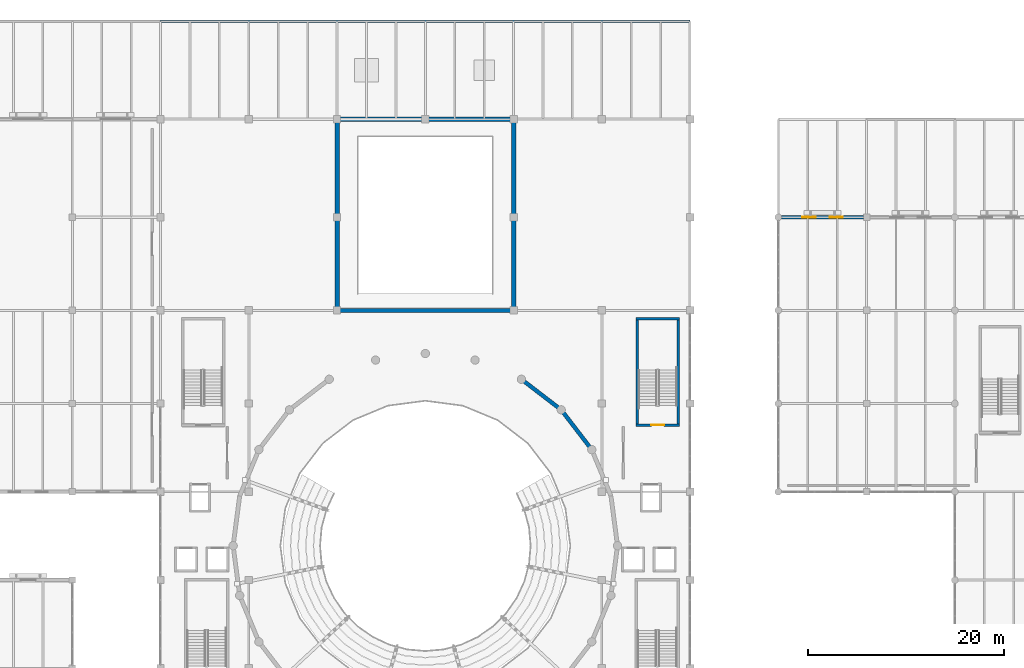
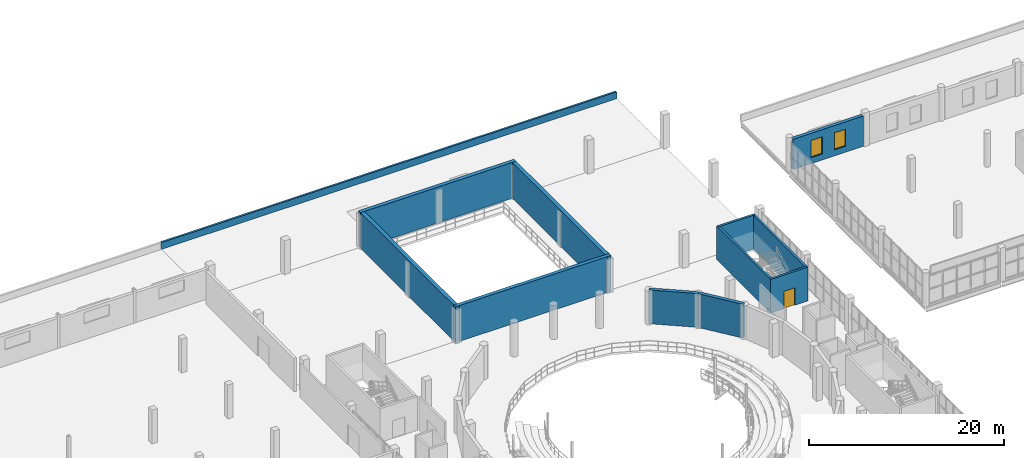
# One storey, part 67 of 85: 12 walls, 2 windows, 1 door, 3 openings.
"""IFC4 building model written with IfcOpenShell, lengths in metres."""

from ifc_helpers import new_model, si_unit, direction, frame, frame_2d, origin, place, context, subcontext, project, spatial, rectangle, extrude, material, layer, layer_set, type_object, element, fill, save


model = new_model("IFC4")

# Units and contexts
model_context = context("Model", 3, precision=1e-05, world=origin(), true_north=direction((0.0, 1.0)))
body_context = subcontext(model_context, "Body", "Model", "MODEL_VIEW")
ifc_project = project(units=[si_unit("LENGTHUNIT", "METRE"), si_unit("AREAUNIT", "SQUARE_METRE"), si_unit("VOLUMEUNIT", "CUBIC_METRE"), si_unit("PLANEANGLEUNIT", "RADIAN"), si_unit("MASSUNIT", "GRAM", prefix="KILO")], contexts=[model_context])

# Site, building, storey
site_placement = place(None, origin())
site = spatial("IfcSite", under=ifc_project, at=site_placement, CompositionType="ELEMENT")
building_placement = place(site_placement, origin())
building = spatial("IfcBuilding", under=site, at=building_placement, Name="Marnock Terrace Opera House", CompositionType="ELEMENT")
storey_placement = place(building_placement, frame((0.0, 0.0, 10.199951171875)))
storey = spatial("IfcBuildingStorey", under=building, at=storey_placement, Name="L02", CompositionType="ELEMENT", Elevation=10.199951171875)

# Wall, openings, windows
ifc_material_1 = material(Name="Basket Range sandstone ashlar masonry", Category="masonry")
ifc_layer_1 = layer(ifc_material_1, 0.389892578125)
ifc_layer_set_1 = layer_set([ifc_layer_1], Name="Basket Range sandstone ashlar masonry")
wall_type_1 = type_object("IfcWallType", Name="EW-ASHLAR-390", PredefinedType="SOLIDWALL", material=ifc_layer_set_1)
wall_1_placement = place(storey_placement, frame((118.345947265625, 94.0, 0.0), z_axis=(0.0, 0.0, 1.0), x_axis=(1.0, 0.0, 0.0)))
wall_1 = element("IfcWall", 1, at=wall_1_placement, inside=storey, type_object=wall_type_1, Name="L02 Volume 5 north parklands facade 1", PredefinedType="SOLIDWALL", context=body_context, shape_type="SweptSolid", body=[
    extrude(rectangle(XDim=8.3330078125, YDim=0.389892578125, at=frame_2d((4.16650390625, 0.0))), origin(), (0.0, 0.0, 1.0), 3.807373046875),
])
opening_1_placement = place(wall_1_placement, frame((2.102783203125, 0.0, 0.75)))
opening_1 = element("IfcOpeningElement", 2, at=opening_1_placement, cuts=wall_1, Name="Opening WT-102", PredefinedType="OPENING", context=body_context, shape_type="SweptSolid", body=[
    extrude(rectangle(XDim=1.35009765625, YDim=2.14990234375, at=frame_2d((0.675048828125, 1.074951171875))), frame((0.0, 0.204833984375, 0.0), z_axis=(0.0, -1.0, 0.0), x_axis=(1.0, 0.0, 0.0)), (0.0, 0.0, 1.0), 0.409912109375),
])
opening_2_placement = place(wall_1_placement, frame((4.88037109375, 0.0, 0.75)))
opening_2 = element("IfcOpeningElement", 3, at=opening_2_placement, cuts=wall_1, Name="Opening WT-102", PredefinedType="OPENING", context=body_context, shape_type="SweptSolid", body=[
    extrude(rectangle(XDim=1.35009765625, YDim=2.14990234375, at=frame_2d((0.675048828125, 1.074951171875))), frame((0.0, 0.204833984375, 0.0), z_axis=(0.0, -1.0, 0.0), x_axis=(1.0, 0.0, 0.0)), (0.0, 0.0, 1.0), 0.409912109375),
])
ifc_material_2 = material(Name="Double-glazed acoustic low-E laminated glass", Category="glass")
window_type = type_object("IfcWindowType", Name="WT-SUITE-1350", PartitioningType="SINGLE_PANEL", PredefinedType="WINDOW", material=ifc_material_2)
window_1_placement = place(opening_1_placement, origin())
window_1 = element("IfcWindow", 4, at=window_1_placement, inside=storey, type_object=window_type, Name="L02 facade window EW-V5N-L02-1.1", OverallHeight=2.14990234375, OverallWidth=1.35009765625, PartitioningType="SINGLE_PANEL", PredefinedType="WINDOW", context=body_context, shape_type="SweptSolid", body=[
    extrude(rectangle(XDim=1.35009765625, YDim=2.14990234375, at=frame_2d((0.675048828125, 1.074951171875))), frame((0.0, 0.030029296875, 0.0), z_axis=(0.0, -1.0, 0.0), x_axis=(1.0, 0.0, 0.0)), (0.0, 0.0, 1.0), 0.06005859375),
])
fill(opening_1, window_1)
window_2_placement = place(opening_2_placement, origin())
window_2 = element("IfcWindow", 5, at=window_2_placement, inside=storey, type_object=window_type, Name="L02 facade window EW-V5N-L02-1.2", OverallHeight=2.14990234375, OverallWidth=1.35009765625, PartitioningType="SINGLE_PANEL", PredefinedType="WINDOW", context=body_context, shape_type="SweptSolid", body=[
    extrude(rectangle(XDim=1.35009765625, YDim=2.14990234375, at=frame_2d((0.675048828125, 1.074951171875))), frame((0.0, 0.030029296875, 0.0), z_axis=(0.0, -1.0, 0.0), x_axis=(1.0, 0.0, 0.0)), (0.0, 0.0, 1.0), 0.06005859375),
])
fill(opening_2, window_2)

# Wall
ifc_material_3 = material(Name="Pale hydraulic lime architectural render on masonry", Category="masonry")
ifc_layer_2 = layer(ifc_material_3, 0.22998046875)
ifc_layer_set_2 = layer_set([ifc_layer_2], Name="Pale hydraulic lime architectural render on masonry")
wall_type_2 = type_object("IfcWallType", Name="EW-PARA-230", PredefinedType="PARAPET", material=ifc_layer_set_2)
wall_2_placement = place(storey_placement, frame((55.0, 114.0, 0.0), z_axis=(0.0, 0.0, 1.0), x_axis=(1.0, 0.0, 0.0)))
element("IfcWall", 6, at=wall_2_placement, inside=storey, type_object=wall_type_2, Name="Stone parapet PARA-RS-N", PredefinedType="PARAPET", context=body_context, shape_type="SweptSolid", body=[
    extrude(rectangle(XDim=54.0, YDim=0.22998046875, at=frame_2d((27.0, 0.0))), origin(), (0.0, 0.0, 1.0), 0.85009765625),
])

# Wall, opening, door
ifc_material_4 = material(Name="Concrete N40 (f'c = 40 MPa)", Category="concrete")
ifc_layer_3 = layer(ifc_material_4, 0.25)
ifc_layer_set_3 = layer_set([ifc_layer_3], Name="Concrete N40 (f'c = 40 MPa)")
wall_type_3 = type_object("IfcWallType", Name="SW-CORE-250", PredefinedType="SHEAR", material=ifc_layer_set_3)
wall_3_placement = place(storey_placement, frame((103.47509765625, 72.800048828125, 0.0), z_axis=(0.0, 0.0, 1.0), x_axis=(1.0, 0.0, 0.0)))
wall_3 = element("IfcWall", 7, at=wall_3_placement, inside=storey, type_object=wall_type_3, Name="L02 Core C4 FRL 120/120/120 shear wall S", PredefinedType="SHEAR", context=body_context, shape_type="SweptSolid", body=[
    extrude(rectangle(XDim=4.449951171875, YDim=0.25, at=frame_2d((2.22509765625, 0.0))), origin(), (0.0, 0.0, 1.0), 4.239990234375),
])
opening_3_placement = place(wall_3_placement, frame((1.574951171875, 0.0, 0.0)))
opening_3 = element("IfcOpeningElement", 8, at=opening_3_placement, cuts=wall_3, Name="Opening SD-C4-L02", PredefinedType="OPENING", context=body_context, shape_type="SweptSolid", body=[
    extrude(rectangle(XDim=1.300048828125, YDim=2.179931640625, at=frame_2d((0.64990234375, 1.08984375))), frame((0.0, 0.135009765625, 0.0), z_axis=(0.0, -1.0, 0.0), x_axis=(1.0, 0.0, 0.0)), (0.0, 0.0, 1.0), 0.27001953125),
])
ifc_material_5 = material(Name="Fire-rated acoustic timber-core door assembly", Category="wood")
door_type = type_object("IfcDoorType", Name="DT-STAIR-1300", OperationType="NOTDEFINED", PredefinedType="DOOR", material=ifc_material_5)
door_placement = place(opening_3_placement, origin())
door = element("IfcDoor", 9, at=door_placement, inside=storey, type_object=door_type, Name="L02 Stair ST-04 fire-isolated exit door", OperationType="SINGLE_SWING_LEFT", OverallHeight=2.179931640625, OverallWidth=1.300048828125, PredefinedType="DOOR", context=body_context, shape_type="SweptSolid", body=[
    extrude(rectangle(XDim=1.300048828125, YDim=2.179931640625, at=frame_2d((0.64990234375, 1.08984375))), frame((0.0, 0.02490234375, 0.0), z_axis=(0.0, -1.0, 0.0), x_axis=(1.0, 0.0, 0.0)), (0.0, 0.0, 1.0), 0.050048828125),
])
fill(opening_3, door)

# Walls
wall_4_placement = place(storey_placement, frame((103.47509765625, 83.639892578125, 0.0), z_axis=(0.0, 0.0, 1.0), x_axis=(1.0, 0.0, 0.0)))
element("IfcWall", 10, at=wall_4_placement, inside=storey, type_object=wall_type_3, Name="L02 Core C4 FRL 120/120/120 shear wall N", PredefinedType="SHEAR", context=body_context, shape_type="SweptSolid", body=[
    extrude(rectangle(XDim=4.449951171875, YDim=0.25, at=frame_2d((2.22509765625, 0.0))), origin(), (0.0, 0.0, 1.0), 4.239990234375),
])
for number, where, z_axis, x_axis, name in (
    (11, (103.60009765625, 72.675048828125, 0.0), (0.0, 0.0, 1.0), (0.0, 1.0, 0.0), "L02 Core C4 FRL 120/120/120 shear wall W"),
    (12, (107.800048828125, 72.675048828125, 0.0), (0.0, 0.0, 1.0), (0.0, 1.0, 0.0), "L02 Core C4 FRL 120/120/120 shear wall E"),
):
    element("IfcWall", number, at=place(storey_placement, frame(where, z_axis=z_axis, x_axis=x_axis)), inside=storey, type_object=wall_type_3, Name=name, PredefinedType="SHEAR", context=body_context, shape_type="SweptSolid", body=[
        extrude(rectangle(XDim=11.08984375, YDim=0.25, at=frame_2d((5.544921875, 0.0))), origin(), (0.0, 0.0, 1.0), 4.239990234375),
    ])
ifc_material_6 = material(Name="Concrete N50 (f'c = 50 MPa)", Category="concrete")
ifc_layer_4 = layer(ifc_material_6, 0.39990234375)
ifc_layer_set_4 = layer_set([ifc_layer_4], Name="Concrete N50 (f'c = 50 MPa)")
wall_type_4 = type_object("IfcWallType", Name="SW-DRUM-400", PredefinedType="SHEAR", material=ifc_layer_set_4)
for number, where, z_axis, x_axis, name in (
    (13, (98.97412109375, 70.300048828125, 0.0), (0.0, 0.0, 1.0), (-0.608857194409, 0.793279847731, 0.0), "L02 cylindrical auditorium drum shear wall 3"),
    (14, (95.85888671875, 74.35888671875, 0.0), (0.0, 0.0, 1.0), (-0.793279847731, 0.608857194409, 0.0), "L02 cylindrical auditorium drum shear wall 4"),
):
    element("IfcWall", number, at=place(storey_placement, frame(where, z_axis=z_axis, x_axis=x_axis)), inside=storey, type_object=wall_type_4, Name=name, PredefinedType="SHEAR", context=body_context, shape_type="SweptSolid", body=[
        extrude(rectangle(XDim=5.116455078125, YDim=0.39990234375, at=frame_2d((2.55810546875, 0.0))), origin(), (0.0, 0.0, 1.0), 4.239990234375),
    ])
ifc_layer_5 = layer(ifc_material_6, 0.449951171875)
ifc_layer_set_5 = layer_set([ifc_layer_5], Name="Concrete N50 (f'c = 50 MPa)")
wall_type_5 = type_object("IfcWallType", Name="SW-FLY-450", PredefinedType="SHEAR", material=ifc_layer_set_5)
wall_5_placement = place(storey_placement, frame((72.77490234375, 104.0, 0.0), z_axis=(0.0, 0.0, 1.0), x_axis=(1.0, 0.0, 0.0)))
element("IfcWall", 15, at=wall_5_placement, inside=storey, type_object=wall_type_5, Name="L02 Fly Tower north shear wall", PredefinedType="SHEAR", context=body_context, shape_type="SweptSolid", body=[
    extrude(rectangle(XDim=18.4501953125, YDim=0.449951171875, at=frame_2d((9.22509765625, 0.0))), origin(), (0.0, 0.0, 1.0), 4.5),
])
for number, where, z_axis, x_axis, name in (
    (16, (73.0, 84.27490234375, 0.0), (0.0, 0.0, 1.0), (0.0, 1.0, 0.0), "L02 Fly Tower west shear wall"),
    (17, (91.0, 84.27490234375, 0.0), (0.0, 0.0, 1.0), (0.0, 1.0, 0.0), "L02 Fly Tower east shear wall"),
):
    element("IfcWall", number, at=place(storey_placement, frame(where, z_axis=z_axis, x_axis=x_axis)), inside=storey, type_object=wall_type_5, Name=name, PredefinedType="SHEAR", context=body_context, shape_type="SweptSolid", body=[
        extrude(rectangle(XDim=19.9501953125, YDim=0.449951171875, at=frame_2d((9.97509765625, 0.0))), origin(), (0.0, 0.0, 1.0), 4.5),
    ])
ifc_layer_6 = layer(ifc_material_6, 0.419921875)
ifc_layer_set_6 = layer_set([ifc_layer_6], Name="Concrete N50 (f'c = 50 MPa)")
wall_type_6 = type_object("IfcWallType", Name="SW-PROSC-420", PredefinedType="SHEAR", material=ifc_layer_set_6)
wall_6_placement = place(storey_placement, frame((72.77490234375, 84.5, 0.0), z_axis=(0.0, 0.0, 1.0), x_axis=(1.0, 0.0, 0.0)))
element("IfcWall", 18, at=wall_6_placement, inside=storey, type_object=wall_type_6, Name="L02 Fly Tower proscenium fire shear wall", PredefinedType="SHEAR", context=body_context, shape_type="SweptSolid", body=[
    extrude(rectangle(XDim=18.4501953125, YDim=0.419921875, at=frame_2d((9.22509765625, 0.0))), origin(), (0.0, 0.0, 1.0), 4.5),
])

save(model, "model.ifc")
